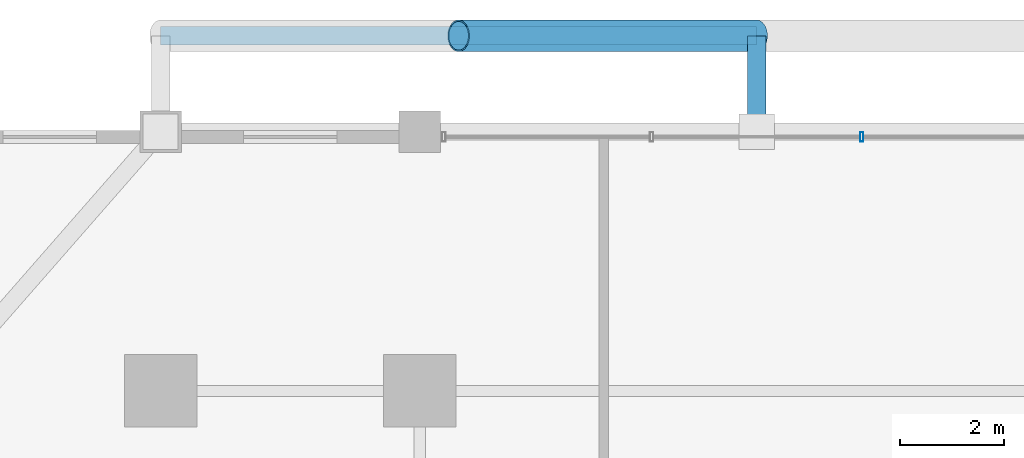
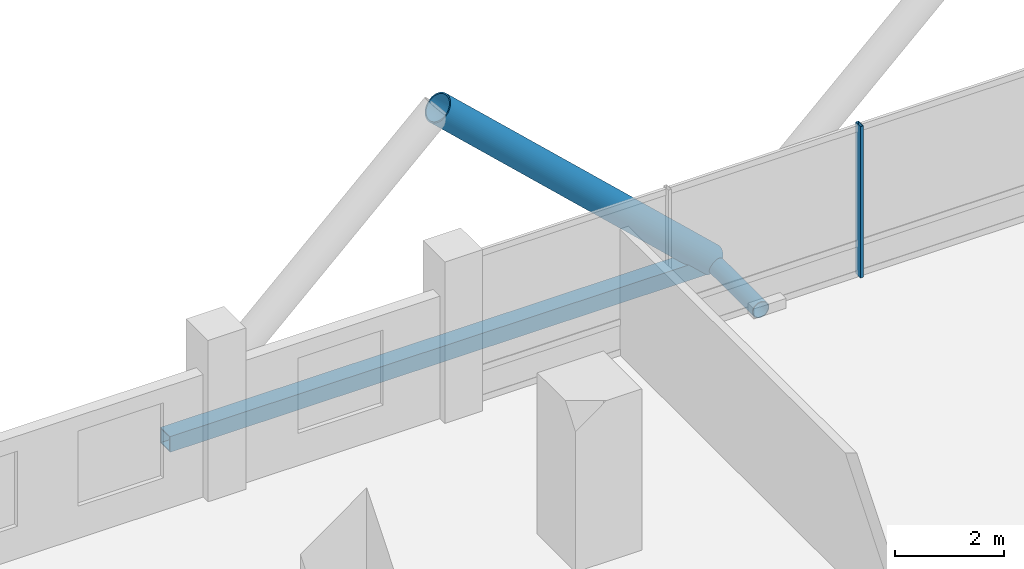
# One storey, part 16 of 26: 4 members, 1 element without a shape of its own.
"""IFC4 building model written with IfcOpenShell, lengths in metres."""

from ifc_helpers import new_model, si_unit, direction, frame, origin, origin_2d, place, context, subcontext, project, spatial, hollow_rectangle, hollow_circle, extrude, material, layer, layer_set, material_profile, profile_set, type_object, element, aggregate, save


model = new_model("IFC4")

# Units and contexts
model_context = context("Model", 3, precision=1e-05, world=origin(), true_north=direction((0.0, 1.0)))
body_context = subcontext(model_context, "Body", "Model", "MODEL_VIEW")
ifc_project = project(units=[si_unit("LENGTHUNIT", "METRE"), si_unit("AREAUNIT", "SQUARE_METRE"), si_unit("VOLUMEUNIT", "CUBIC_METRE"), si_unit("PLANEANGLEUNIT", "RADIAN"), si_unit("MASSUNIT", "GRAM", prefix="KILO")], contexts=[model_context])

# Site, building, storey
site_placement = place(None, origin())
site = spatial("IfcSite", under=ifc_project, at=site_placement, CompositionType="ELEMENT")
building_placement = place(site_placement, origin())
building = spatial("IfcBuilding", under=site, at=building_placement, Name="Barlavira Tower and Art Museum", CompositionType="ELEMENT")
storey_placement = place(building_placement, frame((0.0, 0.0, 82.800048828125)))
storey = spatial("IfcBuildingStorey", under=building, at=storey_placement, Name="L20", CompositionType="ELEMENT", Elevation=82.800048828125)

# Curtain wall, member
ifc_material_1 = material(Name="Low-iron coastal laminated glass", Category="glass")
ifc_layer = layer(ifc_material_1, 0.179931640625, Name="Low-iron coastal laminated glass")
ifc_layer_set = layer_set([ifc_layer], Name="Low-iron coastal laminated glass")
curtain_wall_type = type_object("IfcCurtainWallType", Name="Pale-Metal Unitised Curtain Wall Zone 1", PredefinedType="NOTDEFINED", material=ifc_layer_set)
curtain_wall_placement = place(storey_placement, origin())
curtain_wall = element("IfcCurtainWall", 1, at=curtain_wall_placement, inside=storey, type_object=curtain_wall_type, Name="L20 Curtain Wall CW1-L20-N-B3", PredefinedType="NOTDEFINED")
ifc_material_2 = material(Name="Pale anodised aluminium", Category="aluminium")
ifc_material_profile_1 = material_profile(ifc_material_2, hollow_rectangle(XDim=0.06494140625, YDim=0.179931640625, WallThickness=0.00390625, at=origin_2d()), Name="ALU-MULL 65x180x4")
ifc_profile_set_1 = profile_set([ifc_material_profile_1], Name="Pale anodised aluminium")
member_type_1 = type_object("IfcMemberType", Name="Curtain Wall Pale-Metal Mullion 65x180", PredefinedType="MULLION", material=ifc_profile_set_1)
member_1_placement = place(storey_placement, frame((2.026611328125, 24.89990234375, 0.0), z_axis=(0.0, 0.0, 1.0), x_axis=(-1.0, 0.0, 0.0)))
member_1 = element("IfcMember", 2, at=member_1_placement, type_object=member_type_1, Name="CW1-L20-N-B3 Mullion 1", PredefinedType="MULLION", context=body_context, shape_type="SweptSolid", body=[
    extrude(hollow_rectangle(XDim=0.06494140625, YDim=0.179931640625, WallThickness=0.00390625, at=origin_2d()), origin(), (0.0, 0.0, 1.0), 3.3798828125),
])
aggregate(curtain_wall, [member_1])

# Members
ifc_material_3 = material(Name="Steel S355", Category="steel")
ifc_material_profile_2 = material_profile(ifc_material_3, hollow_circle(Radius=0.304931640625, WallThickness=0.028076171875, at=origin_2d()), Name="CHS 610.0x28.0")
ifc_profile_set_2 = profile_set([ifc_material_profile_2], Name="Steel S355")
member_type_2 = type_object("IfcMemberType", Name="Pale-Metal Exoskeleton Diagrid Tube CHS 610x28 Steel S355", PredefinedType="BRACE", material=ifc_profile_set_2)
member_2_placement = place(storey_placement, frame((0.0, 26.85009765625, -0.1201171875), z_axis=(-0.728934650808, 0.0, 0.684583285548), x_axis=(0.0, -1.0, 0.0)))
element("IfcMember", 3, at=member_2_placement, inside=storey, type_object=member_type_2, Name="L20 Exoskeleton Diagrid Tube N", PredefinedType="BRACE", context=body_context, shape_type="SweptSolid", body=[
    extrude(hollow_circle(Radius=0.304931640625, WallThickness=0.028076171875, at=origin_2d()), origin(), (0.0, 0.0, 1.0), 7.88818359375),
])
ifc_material_profile_3 = material_profile(ifc_material_3, hollow_rectangle(XDim=0.35009765625, YDim=0.35009765625, WallThickness=0.02001953125, at=origin_2d()), Name="SHS 350x350x20.0")
ifc_profile_set_3 = profile_set([ifc_material_profile_3], Name="Steel S355")
member_type_3 = type_object("IfcMemberType", Name="Pale-Metal Exoskeleton Ring Strut SHS 350x350x20 Steel S355", PredefinedType="STRUT", material=ifc_profile_set_3)
member_3_placement = place(storey_placement, frame((-11.5, 26.85009765625, -0.1201171875), z_axis=(1.0, 0.0, 0.0), x_axis=(0.0, 1.0, 0.0)))
element("IfcMember", 4, at=member_3_placement, inside=storey, type_object=member_type_3, Name="L20 Exoskeleton Ring Strut N", PredefinedType="STRUT", context=body_context, shape_type="SweptSolid", body=[
    extrude(hollow_rectangle(XDim=0.35009765625, YDim=0.35009765625, WallThickness=0.02001953125, at=origin_2d()), origin(), (0.0, 0.0, 1.0), 11.5),
])
ifc_material_profile_4 = material_profile(ifc_material_3, hollow_circle(Radius=0.177734375, WallThickness=0.01611328125, at=origin_2d()), Name="CHS 355.6x16.0")
ifc_profile_set_4 = profile_set([ifc_material_profile_4], Name="Steel S355")
member_type_4 = type_object("IfcMemberType", Name="Pale-Metal Exoskeleton Tie Strut CHS 356x16 Steel S355", PredefinedType="STRUT", material=ifc_profile_set_4)
member_4_placement = place(storey_placement, frame((0.0, 26.85009765625, -0.1201171875), z_axis=(0.0, -1.0, 0.0), x_axis=(1.0, 0.0, 0.0)))
element("IfcMember", 5, at=member_4_placement, inside=storey, type_object=member_type_4, Name="L20 Exoskeleton Tie Strut N2", PredefinedType="STRUT", context=body_context, shape_type="SweptSolid", body=[
    extrude(hollow_circle(Radius=0.177734375, WallThickness=0.01611328125, at=origin_2d()), origin(), (0.0, 0.0, 1.0), 1.85009765625),
])

save(model, "model.ifc")
